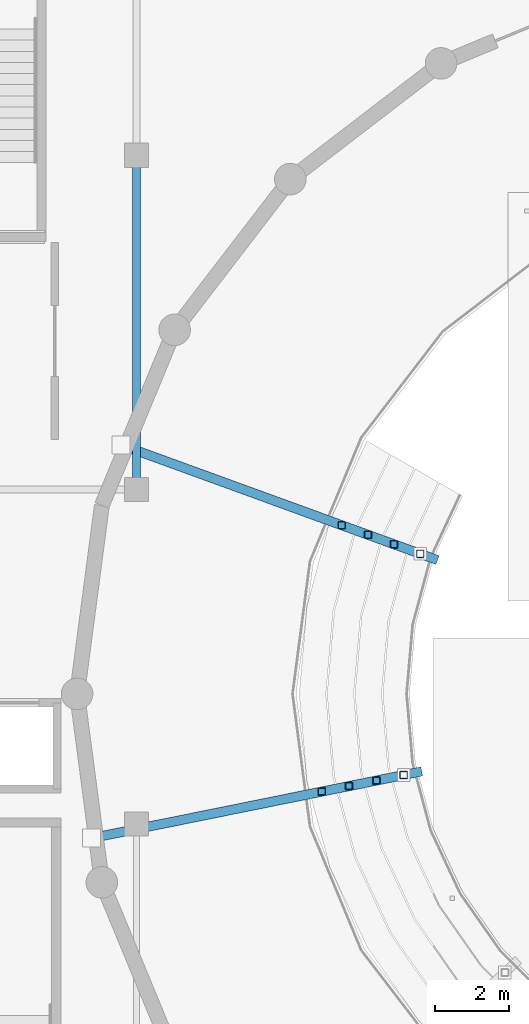
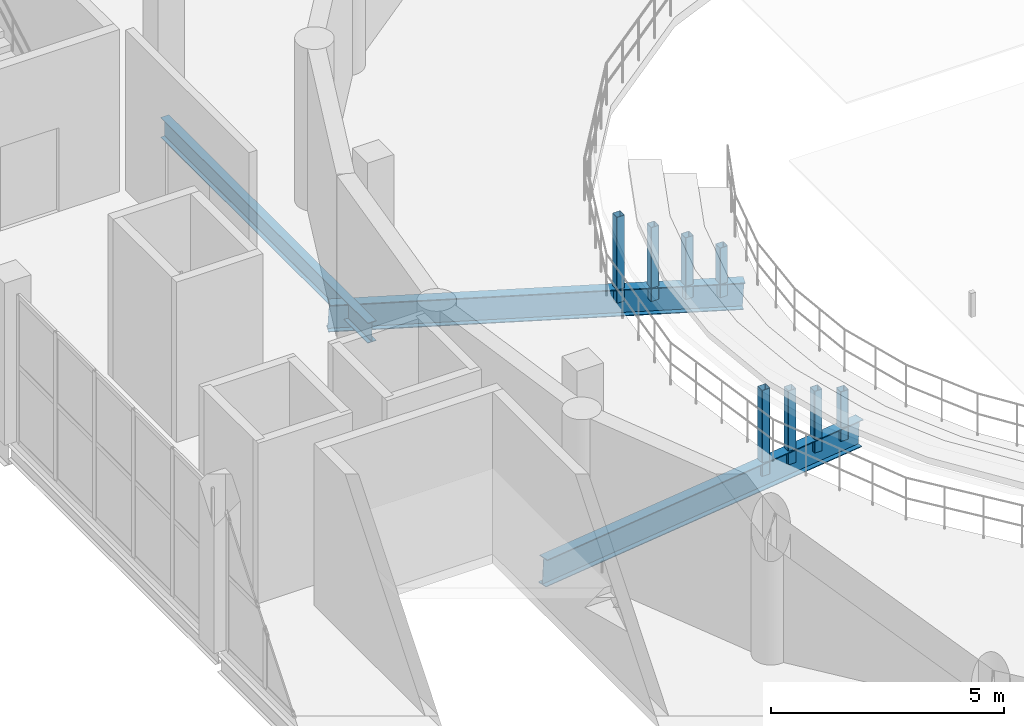
# One storey, part 19 of 54: 8 members, 3 beams.
"""IFC4 building model written with IfcOpenShell, lengths in metres."""

from ifc_helpers import new_model, si_unit, direction, frame, origin, origin_2d, place, context, subcontext, project, spatial, hollow_rectangle, i_section, extrude, material, material_profile, profile_set, type_object, element, save


model = new_model("IFC4")

# Units and contexts
model_context = context("Model", 3, precision=1e-05, world=origin(), true_north=direction((0.0, 1.0)))
body_context = subcontext(model_context, "Body", "Model", "MODEL_VIEW")
ifc_project = project(units=[si_unit("LENGTHUNIT", "METRE"), si_unit("AREAUNIT", "SQUARE_METRE"), si_unit("VOLUMEUNIT", "CUBIC_METRE"), si_unit("PLANEANGLEUNIT", "RADIAN"), si_unit("MASSUNIT", "GRAM", prefix="KILO")], contexts=[model_context])

# Site, building, storey
site_placement = place(None, origin())
site = spatial("IfcSite", under=ifc_project, at=site_placement, CompositionType="ELEMENT")
building_placement = place(site_placement, origin())
building = spatial("IfcBuilding", under=site, at=building_placement, Name="Marnock Terrace Opera House", CompositionType="ELEMENT")
storey_placement = place(building_placement, frame((0.0, 0.0, 19.199951171875)))
storey = spatial("IfcBuildingStorey", under=building, at=storey_placement, Name="L04", CompositionType="ELEMENT", Elevation=19.199951171875)

# Beams
ifc_material_1 = material(Name="Steel Grade 350 (AS/NZS 3679.1)", Category="steel")
ifc_material_profile_1 = material_profile(ifc_material_1, i_section(OverallWidth=0.208984375, OverallDepth=0.528076171875, WebThickness=0.009521484375, FlangeThickness=0.01318359375, FilletRadius=0.013916015625, at=origin_2d()))
ifc_profile_set_1 = profile_set([ifc_material_profile_1], Name="Steel Grade 350 (AS/NZS 3679.1)")
beam_type_1 = type_object("IfcBeamType", Name="BM-GIRD-530B", PredefinedType="BEAM", material=ifc_profile_set_1)
beam_1_placement = place(storey_placement, frame((64.0, 66.050048828125, -0.513916015625), z_axis=(0.0, 1.0, 0.0), x_axis=(-1.0, 0.0, 0.0)))
element("IfcBeam", 1, at=beam_1_placement, inside=storey, type_object=beam_type_1, Name="L04 girder (X=64.0, 66.0..75.0)", PredefinedType="BEAM", context=body_context, shape_type="SweptSolid", body=[
    extrude(i_section(OverallWidth=0.208984375, OverallDepth=0.528076171875, WebThickness=0.009521484375, FlangeThickness=0.01318359375, FilletRadius=0.013916015625, at=origin_2d()), origin(), (0.0, 0.0, 1.0), 8.89990234375),
])
ifc_material_2 = material(Name="Steel Grade 350 Welded (AS/NZS 3679.2)", Category="steel")
ifc_material_profile_2 = material_profile(ifc_material_2, i_section(OverallWidth=0.25, OverallDepth=0.699951171875, WebThickness=0.011962890625, FlangeThickness=0.02001953125, at=origin_2d()))
ifc_profile_set_2 = profile_set([ifc_material_profile_2], Name="Steel Grade 350 Welded (AS/NZS 3679.2)")
beam_type_2 = type_object("IfcBeamType", Name="BM-RAKER-700", PredefinedType="BEAM", material=ifc_profile_set_2)
beam_2_placement = place(storey_placement, frame((72.086181640625, 64.1083984375, -1.14990234375), z_axis=(-0.938205492565, 0.341474154817, 0.056265933855), x_axis=(-0.342015970523, -0.939694139551, 0.0)))
element("IfcBeam", 2, at=beam_2_placement, inside=storey, type_object=beam_type_2, Name="L04 Auditorium raker girder 1", PredefinedType="BEAM", context=body_context, shape_type="SweptSolid", body=[
    extrude(i_section(OverallWidth=0.25, OverallDepth=0.699951171875, WebThickness=0.011962890625, FlangeThickness=0.02001953125, at=origin_2d()), origin(), (0.0, 0.0, 1.0), 9.064208984375),
])
beam_3_placement = place(storey_placement, frame((71.6591796875, 58.40966796875, -1.14990234375), z_axis=(-0.978614945489, -0.197856150976, 0.056264837924), x_axis=(0.198170076298, -0.980167649364, 0.0)))
element("IfcBeam", 3, at=beam_3_placement, inside=storey, type_object=beam_type_2, Name="L04 Auditorium raker girder 2", PredefinedType="BEAM", context=body_context, shape_type="SweptSolid", body=[
    extrude(i_section(OverallWidth=0.25, OverallDepth=0.699951171875, WebThickness=0.011962890625, FlangeThickness=0.02001953125, at=origin_2d()), origin(), (0.0, 0.0, 1.0), 9.064453125),
])

# Members
ifc_material_3 = material(Name="Cold-formed Steel Grade C350L0 (AS/NZS 1163)", Category="steel")
ifc_material_profile_3 = material_profile(ifc_material_3, hollow_rectangle(XDim=0.199951171875, YDim=0.199951171875, WallThickness=0.009033203125, InnerFilletRadius=0.009033203125, OuterFilletRadius=0.01806640625, at=origin_2d()))
ifc_profile_set_3 = profile_set([ifc_material_profile_3], Name="Cold-formed Steel Grade C350L0 (AS/NZS 1163)")
member_type = type_object("IfcMemberType", Name="MEM-TRUSS-WEB2", PredefinedType="BRACE", material=ifc_profile_set_3)
member_1_placement = place(storey_placement, frame((71.639892578125, 64.270751953125, -1.123046875), z_axis=(0.0, 0.0, 1.0), x_axis=(1.0, 0.0, 0.0)))
element("IfcMember", 4, at=member_1_placement, inside=storey, type_object=member_type, Name="L04 Auditorium tier support post 1.1", PredefinedType="BRACE", context=body_context, shape_type="SweptSolid", body=[
    extrude(hollow_rectangle(XDim=0.199951171875, YDim=0.199951171875, WallThickness=0.009033203125, InnerFilletRadius=0.009033203125, OuterFilletRadius=0.01806640625, at=origin_2d()), origin(), (0.0, 0.0, 1.0), 1.298095703125),
])
member_2_placement = place(storey_placement, frame((70.93505859375, 64.52734375, -1.0810546875), z_axis=(0.0, 0.0, 1.0), x_axis=(1.0, 0.0, 0.0)))
element("IfcMember", 5, at=member_2_placement, inside=storey, type_object=member_type, Name="L04 Auditorium tier support post 1.2", PredefinedType="BRACE", context=body_context, shape_type="SweptSolid", body=[
    extrude(hollow_rectangle(XDim=0.199951171875, YDim=0.199951171875, WallThickness=0.009033203125, InnerFilletRadius=0.009033203125, OuterFilletRadius=0.01806640625, at=origin_2d()), origin(), (0.0, 0.0, 1.0), 1.6162109375),
])
member_3_placement = place(storey_placement, frame((70.230224609375, 64.78369140625, -1.03857421875), z_axis=(0.0, 0.0, 1.0), x_axis=(1.0, 0.0, 0.0)))
element("IfcMember", 6, at=member_3_placement, inside=storey, type_object=member_type, Name="L04 Auditorium tier support post 1.3", PredefinedType="BRACE", context=body_context, shape_type="SweptSolid", body=[
    extrude(hollow_rectangle(XDim=0.199951171875, YDim=0.199951171875, WallThickness=0.009033203125, InnerFilletRadius=0.009033203125, OuterFilletRadius=0.01806640625, at=origin_2d()), origin(), (0.0, 0.0, 1.0), 1.93359375),
])
member_4_placement = place(storey_placement, frame((69.525634765625, 65.040283203125, -0.996337890625), z_axis=(0.0, 0.0, 1.0), x_axis=(1.0, 0.0, 0.0)))
element("IfcMember", 7, at=member_4_placement, inside=storey, type_object=member_type, Name="L04 Auditorium tier support post 1.4", PredefinedType="BRACE", context=body_context, shape_type="SweptSolid", body=[
    extrude(hollow_rectangle(XDim=0.199951171875, YDim=0.199951171875, WallThickness=0.009033203125, InnerFilletRadius=0.009033203125, OuterFilletRadius=0.01806640625, at=origin_2d()), origin(), (0.0, 0.0, 1.0), 2.25146484375),
])
member_5_placement = place(storey_placement, frame((71.193603515625, 58.3154296875, -1.123046875), z_axis=(0.0, 0.0, 1.0), x_axis=(1.0, 0.0, 0.0)))
element("IfcMember", 8, at=member_5_placement, inside=storey, type_object=member_type, Name="L04 Auditorium tier support post 2.1", PredefinedType="BRACE", context=body_context, shape_type="SweptSolid", body=[
    extrude(hollow_rectangle(XDim=0.199951171875, YDim=0.199951171875, WallThickness=0.009033203125, InnerFilletRadius=0.009033203125, OuterFilletRadius=0.01806640625, at=origin_2d()), origin(), (0.0, 0.0, 1.0), 1.298095703125),
])
member_6_placement = place(storey_placement, frame((70.45849609375, 58.166748046875, -1.0810546875), z_axis=(0.0, 0.0, 1.0), x_axis=(1.0, 0.0, 0.0)))
element("IfcMember", 9, at=member_6_placement, inside=storey, type_object=member_type, Name="L04 Auditorium tier support post 2.2", PredefinedType="BRACE", context=body_context, shape_type="SweptSolid", body=[
    extrude(hollow_rectangle(XDim=0.199951171875, YDim=0.199951171875, WallThickness=0.009033203125, InnerFilletRadius=0.009033203125, OuterFilletRadius=0.01806640625, at=origin_2d()), origin(), (0.0, 0.0, 1.0), 1.6162109375),
])
member_7_placement = place(storey_placement, frame((69.723388671875, 58.018310546875, -1.03857421875), z_axis=(0.0, 0.0, 1.0), x_axis=(1.0, 0.0, 0.0)))
element("IfcMember", 10, at=member_7_placement, inside=storey, type_object=member_type, Name="L04 Auditorium tier support post 2.3", PredefinedType="BRACE", context=body_context, shape_type="SweptSolid", body=[
    extrude(hollow_rectangle(XDim=0.199951171875, YDim=0.199951171875, WallThickness=0.009033203125, InnerFilletRadius=0.009033203125, OuterFilletRadius=0.01806640625, at=origin_2d()), origin(), (0.0, 0.0, 1.0), 1.93359375),
])
member_8_placement = place(storey_placement, frame((68.98828125, 57.86962890625, -0.996337890625), z_axis=(0.0, 0.0, 1.0), x_axis=(1.0, 0.0, 0.0)))
element("IfcMember", 11, at=member_8_placement, inside=storey, type_object=member_type, Name="L04 Auditorium tier support post 2.4", PredefinedType="BRACE", context=body_context, shape_type="SweptSolid", body=[
    extrude(hollow_rectangle(XDim=0.199951171875, YDim=0.199951171875, WallThickness=0.009033203125, InnerFilletRadius=0.009033203125, OuterFilletRadius=0.01806640625, at=origin_2d()), origin(), (0.0, 0.0, 1.0), 2.25146484375),
])

save(model, "model.ifc")
